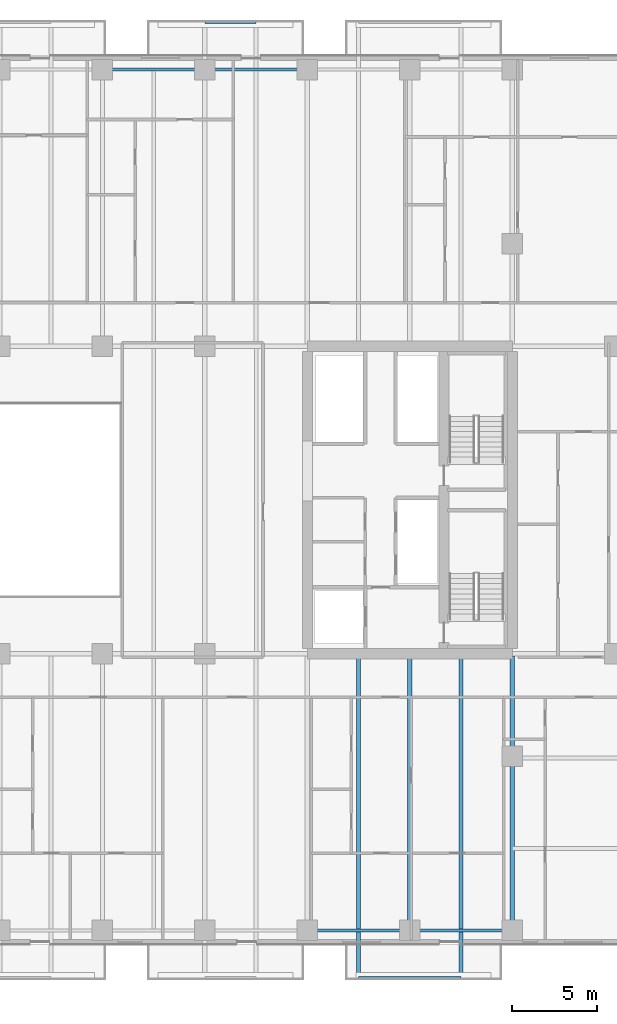
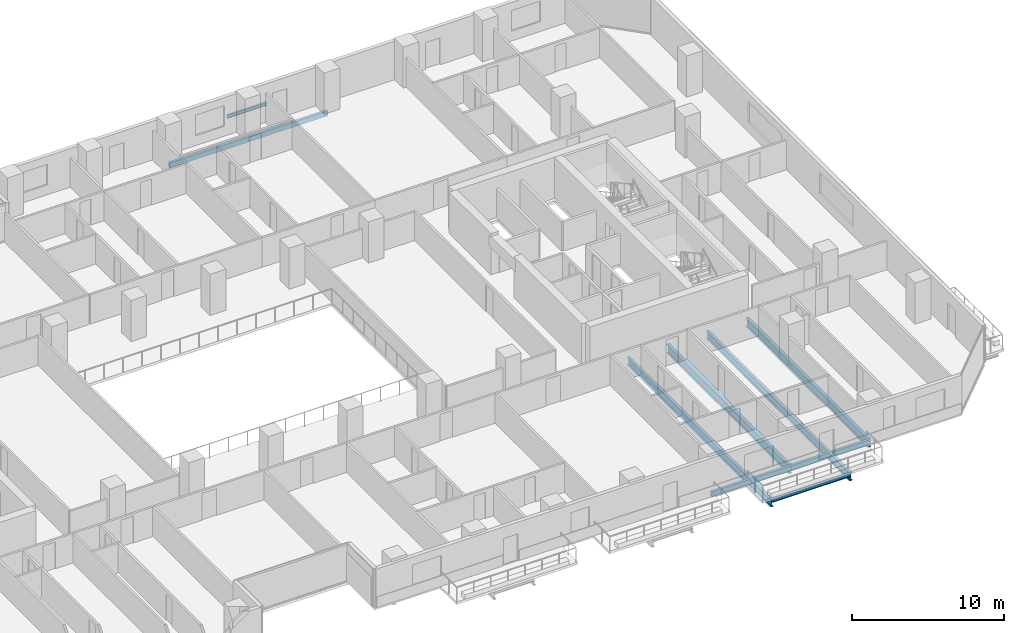
# One storey, part 12 of 33: 10 beams.
"""IFC4 building model written with IfcOpenShell, lengths in metres."""

from ifc_helpers import new_model, si_unit, direction, frame, origin, origin_2d, place, context, subcontext, project, spatial, hollow_rectangle, i_section, extrude, material, material_profile, profile_set, type_object, element, save


model = new_model("IFC4")

# Units and contexts
model_context = context("Model", 3, precision=1e-05, world=origin(), true_north=direction((0.0, 1.0)))
body_context = subcontext(model_context, "Body", "Model", "MODEL_VIEW")
ifc_project = project(units=[si_unit("LENGTHUNIT", "METRE"), si_unit("AREAUNIT", "SQUARE_METRE"), si_unit("VOLUMEUNIT", "CUBIC_METRE"), si_unit("PLANEANGLEUNIT", "RADIAN"), si_unit("MASSUNIT", "GRAM", prefix="KILO")], contexts=[model_context])

# Site, building, storey
site_placement = place(None, origin())
site = spatial("IfcSite", under=ifc_project, at=site_placement, CompositionType="ELEMENT")
building_placement = place(site_placement, origin())
building = spatial("IfcBuilding", under=site, at=building_placement, Name="Tanjung Sevakor Pilgrim Tower", CompositionType="ELEMENT")
storey_placement = place(building_placement, frame((0.0, 0.0, 32.340087890625)))
storey = spatial("IfcBuildingStorey", under=building, at=storey_placement, Name="L08", CompositionType="ELEMENT", Elevation=32.340087890625)

# Beams
ifc_material_1 = material(Name="Steel S355J2", Category="steel")
ifc_material_profile_1 = material_profile(ifc_material_1, i_section(OverallWidth=0.25439453125, OverallDepth=0.6875, WebThickness=0.01318359375, FlangeThickness=0.02099609375, FilletRadius=0.01513671875, at=origin_2d()))
ifc_profile_set_1 = profile_set([ifc_material_profile_1], Name="Steel S355J2")
beam_type_1 = type_object("IfcBeamType", Name="BM-B-G2-UB_686x254x152", PredefinedType="BEAM", material=ifc_profile_set_1)
for number, where, z_axis, x_axis, name in (
    (1, (84.0, 8.39990234375, -0.56396484375), (0.0, 1.0, 0.0), (-1.0, 0.0, 0.0), "L08 MAIN Girder 026"),
    (2, (90.0, 8.39990234375, -0.56396484375), (0.0, 1.0, 0.0), (-1.0, 0.0, 0.0), "L08 MAIN Girder 028"),
):
    element("IfcBeam", number, at=place(storey_placement, frame(where, z_axis=z_axis, x_axis=x_axis)), inside=storey, type_object=beam_type_1, Name=name, PredefinedType="BEAM", context=body_context, shape_type="SweptSolid", body=[
        extrude(i_section(OverallWidth=0.25439453125, OverallDepth=0.6875, WebThickness=0.01318359375, FlangeThickness=0.02099609375, FilletRadius=0.01513671875, at=origin_2d()), origin(), (0.0, 0.0, 1.0), 16.066162109375),
    ])
ifc_material_2 = material(Name="Steel S355J2", Category="steel")
ifc_material_profile_2 = material_profile(ifc_material_2, i_section(OverallWidth=0.22900390625, OverallDepth=0.6123046875, WebThickness=0.011962890625, FlangeThickness=0.01953125, FilletRadius=0.0126953125, at=origin_2d()))
ifc_profile_set_2 = profile_set([ifc_material_profile_2], Name="Steel S355J2")
beam_type_2 = type_object("IfcBeamType", Name="BM-B-G4-UB_610x229x125", PredefinedType="BEAM", material=ifc_profile_set_2)
for number, where, z_axis, x_axis, name in (
    (3, (81.0, 24.466064453125, -0.526123046875), (0.0, -1.0, 0.0), (1.0, 0.0, 0.0), "L08 Balcony Cantilever Beam MAIN-S4-1"),
    (4, (87.0, 24.466064453125, -0.526123046875), (0.0, -1.0, 0.0), (1.0, 0.0, 0.0), "L08 Balcony Cantilever Beam MAIN-S4-2"),
):
    element("IfcBeam", number, at=place(storey_placement, frame(where, z_axis=z_axis, x_axis=x_axis)), inside=storey, type_object=beam_type_2, Name=name, PredefinedType="BEAM", context=body_context, shape_type="SweptSolid", body=[
        extrude(i_section(OverallWidth=0.22900390625, OverallDepth=0.6123046875, WebThickness=0.011962890625, FlangeThickness=0.01953125, FilletRadius=0.0126953125, at=origin_2d()), origin(), (0.0, 0.0, 1.0), 18.845947265625),
    ])
ifc_material_3 = material(Name="Steel S355J2", Category="steel")
ifc_material_profile_3 = material_profile(ifc_material_3, i_section(OverallWidth=0.146484375, OverallDepth=0.256103515625, WebThickness=0.00634765625, FlangeThickness=0.010986328125, FilletRadius=0.007568359375, at=origin_2d()))
ifc_profile_set_3 = profile_set([ifc_material_profile_3], Name="Steel S355J2")
beam_type_3 = type_object("IfcBeamType", Name="BM-B-J6-UB_254x146x37", PredefinedType="JOIST", material=ifc_profile_set_3)
beam_1_placement = place(storey_placement, frame((72.0, 61.580078125, -0.328125), z_axis=(1.0, 0.0, 0.0), x_axis=(0.0, 1.0, 0.0)))
element("IfcBeam", 5, at=beam_1_placement, inside=storey, type_object=beam_type_3, Name="L08 Balcony Rim Tie MAIN-N3", PredefinedType="JOIST", context=body_context, shape_type="SweptSolid", body=[
    extrude(i_section(OverallWidth=0.146484375, OverallDepth=0.256103515625, WebThickness=0.00634765625, FlangeThickness=0.010986328125, FilletRadius=0.007568359375, at=origin_2d()), origin(), (0.0, 0.0, 1.0), 3.0),
])
beam_2_placement = place(storey_placement, frame((81.0, 5.6201171875, -0.328125), z_axis=(1.0, 0.0, 0.0), x_axis=(0.0, 1.0, 0.0)))
element("IfcBeam", 6, at=beam_2_placement, inside=storey, type_object=beam_type_3, Name="L08 Balcony Rim Tie MAIN-S4", PredefinedType="JOIST", context=body_context, shape_type="SweptSolid", body=[
    extrude(i_section(OverallWidth=0.146484375, OverallDepth=0.256103515625, WebThickness=0.00634765625, FlangeThickness=0.010986328125, FilletRadius=0.007568359375, at=origin_2d()), origin(), (0.0, 0.0, 1.0), 6.0),
])
ifc_material_4 = material(Name="Steel S355J2", Category="steel")
ifc_material_profile_4 = material_profile(ifc_material_4, hollow_rectangle(XDim=0.199951171875, YDim=0.39990234375, WallThickness=0.01611328125, at=origin_2d()))
ifc_profile_set_4 = profile_set([ifc_material_profile_4], Name="Steel S355J2")
beam_type_4 = type_object("IfcBeamType", Name="BM-B-SP2-RHS_400x200x16", PredefinedType="SPANDREL", material=ifc_profile_set_4)
for number, where, z_axis, x_axis, name in (
    (7, (66.0, 58.800048828125, -0.420166015625), (1.0, 0.0, 0.0), (0.0, 1.0, 0.0), "L08 Spandrel MAIN N-12"),
    (8, (72.0, 58.800048828125, -0.420166015625), (1.0, 0.0, 0.0), (0.0, 1.0, 0.0), "L08 Spandrel MAIN N-14"),
    (9, (78.0, 8.39990234375, -0.420166015625), (1.0, 0.0, 0.0), (0.0, 1.0, 0.0), "L08 Spandrel MAIN S-15"),
    (10, (84.0, 8.39990234375, -0.420166015625), (1.0, 0.0, 0.0), (0.0, 1.0, 0.0), "L08 Spandrel MAIN S-17"),
):
    element("IfcBeam", number, at=place(storey_placement, frame(where, z_axis=z_axis, x_axis=x_axis)), inside=storey, type_object=beam_type_4, Name=name, PredefinedType="SPANDREL", context=body_context, shape_type="SweptSolid", body=[
        extrude(hollow_rectangle(XDim=0.199951171875, YDim=0.39990234375, WallThickness=0.01611328125, at=origin_2d()), origin(), (0.0, 0.0, 1.0), 6.0),
    ])

save(model, "model.ifc")
